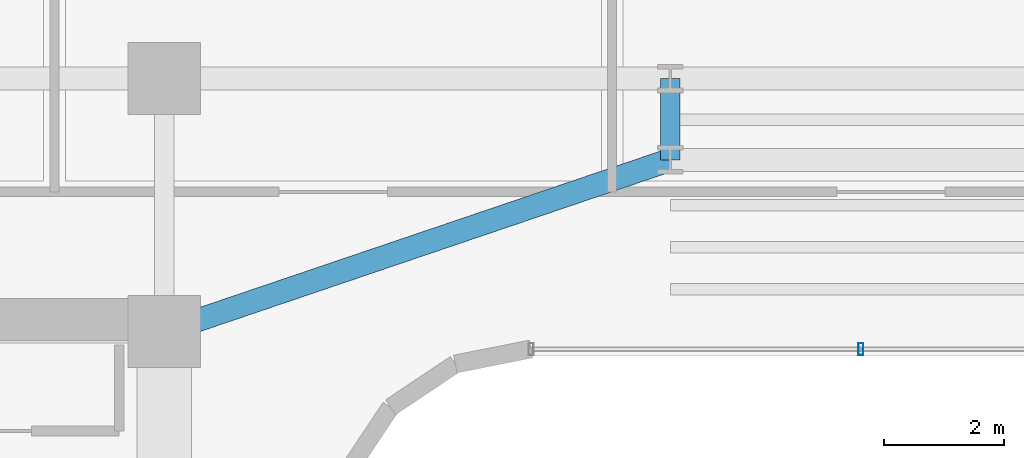
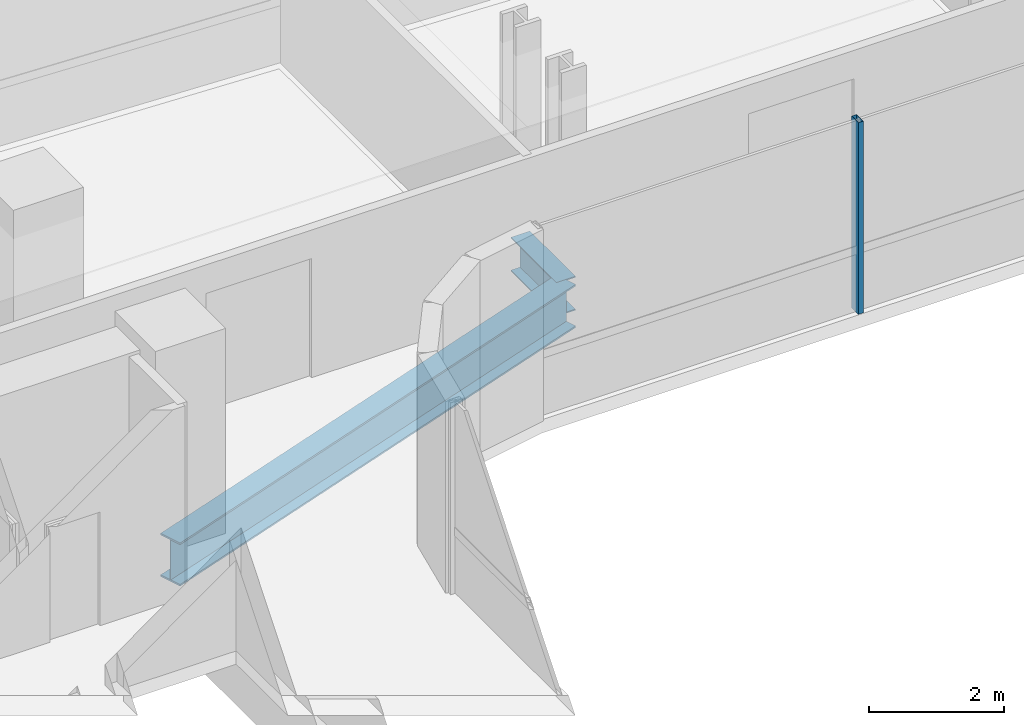
# One storey, part 12 of 37: 2 beams, 1 member, 1 element without a shape of its own.
"""IFC4 building model written with IfcOpenShell, lengths in metres."""

from ifc_helpers import new_model, si_unit, direction, frame, origin, origin_2d, place, context, subcontext, project, spatial, hollow_rectangle, i_section, extrude, source, transform, mapped, material, material_profile, profile_set, type_object, element, aggregate, save


model = new_model("IFC4")

# Units and contexts
model_context = context("Model", 3, precision=1e-05, world=origin(), true_north=direction((0.0, 1.0)))
body_context = subcontext(model_context, "Body", "Model", "MODEL_VIEW")
ifc_project = project(units=[si_unit("LENGTHUNIT", "METRE"), si_unit("AREAUNIT", "SQUARE_METRE"), si_unit("VOLUMEUNIT", "CUBIC_METRE"), si_unit("PLANEANGLEUNIT", "RADIAN"), si_unit("MASSUNIT", "GRAM", prefix="KILO")], contexts=[model_context])

# Site, building, storey
site_placement = place(None, origin())
site = spatial("IfcSite", under=ifc_project, at=site_placement, CompositionType="ELEMENT")
building_placement = place(site_placement, origin())
building = spatial("IfcBuilding", under=site, at=building_placement, Name="Valdorenza Pilgrim Sanctuary Tower", CompositionType="ELEMENT")
storey_placement = place(building_placement, frame((0.0, 0.0, 135.300048828125)))
storey = spatial("IfcBuildingStorey", under=building, at=storey_placement, Name="L34", CompositionType="ELEMENT", Elevation=135.300048828125)

# Beams
ifc_material_1 = material(Name="Steel ASTM A992 Grade 50", Category="steel")
ifc_material_profile_1 = material_profile(ifc_material_1, i_section(OverallWidth=0.323974609375, OverallDepth=0.611083984375, WebThickness=0.0126953125, FlangeThickness=0.01904296875, at=origin_2d()), Name="W24X104")
ifc_profile_set_1 = profile_set([ifc_material_profile_1], Name="Steel ASTM A992 Grade 50")
beam_type_1 = type_object("IfcBeamType", Name="STR-BM-GRD-W24B", PredefinedType="BEAM", material=ifc_profile_set_1)
shared_shape_1 = source(origin(), body_context, "Body", "SweptSolid", [
    extrude(i_section(OverallWidth=0.323974609375, OverallDepth=0.611083984375, WebThickness=0.0126953125, FlangeThickness=0.01904296875, at=origin_2d()), origin(), (0.0, 0.0, 1.0), 1.35009765625),
])
beam_1_placement = place(storey_placement, frame((-4.0, 13.449951171875, -0.545654296875), z_axis=(0.0, 1.0, 0.0), x_axis=(-1.0, 0.0, 0.0)))
element("IfcBeam", 1, at=beam_1_placement, inside=storey, type_object=beam_type_1, Name="L34 Floor Girder KNK-TIE-W", PredefinedType="BEAM", context=body_context, shape_type="MappedRepresentation", body=[
    mapped(shared_shape_1, transform((0.0, 0.0, 0.0), x_axis=(1.0, 0.0, 0.0), y_axis=(0.0, 1.0, 0.0), z_axis=(0.0, 0.0, 1.0), scale=1.0)),
])
ifc_material_profile_2 = material_profile(ifc_material_1, i_section(OverallWidth=0.382080078125, OverallDepth=0.779052734375, WebThickness=0.01806640625, FlangeThickness=0.030029296875, at=origin_2d()), Name="W30X191")
ifc_profile_set_2 = profile_set([ifc_material_profile_2], Name="Steel ASTM A992 Grade 50")
beam_type_2 = type_object("IfcBeamType", Name="STR-BM-GRD-W30", PredefinedType="BEAM", material=ifc_profile_set_2)
shared_shape_2 = source(origin(), body_context, "Body", "SweptSolid", [
    extrude(i_section(OverallWidth=0.382080078125, OverallDepth=0.779052734375, WebThickness=0.01806640625, FlangeThickness=0.030029296875, at=origin_2d()), origin(), (0.0, 0.0, 1.0), 8.8701171875),
])
beam_2_placement = place(storey_placement, frame((-12.39990234375, 10.60009765625, -0.629638671875), z_axis=(0.946982588361, 0.321284885018, 0.0), x_axis=(-0.321284885018, 0.946982588361, 0.0)))
element("IfcBeam", 2, at=beam_2_placement, inside=storey, type_object=beam_type_2, Name="L34 Floor Girder KNK-G1", PredefinedType="BEAM", context=body_context, shape_type="MappedRepresentation", body=[
    mapped(shared_shape_2, transform((0.0, 0.0, 0.0), x_axis=(1.0, 0.0, 0.0), y_axis=(0.0, 1.0, 0.0), z_axis=(0.0, 0.0, 1.0), scale=1.0)),
])

# Curtain wall, member
ifc_material_2 = material(Name="Curtain-wall IGU glazing", Category="glass")
curtain_wall_type = type_object("IfcCurtainWallType", Name="CW-SYS-02", PredefinedType="NOTDEFINED", material=ifc_material_2)
curtain_wall_placement = place(storey_placement, origin())
curtain_wall = element("IfcCurtainWall", 3, at=curtain_wall_placement, inside=storey, type_object=curtain_wall_type, Name="L34 Curtain Wall CW-L34-1-36", PredefinedType="NOTDEFINED")
ifc_material_3 = material(Name="Anodised aluminium AW-6060", Category="aluminium")
ifc_material_profile_3 = material_profile(ifc_material_3, hollow_rectangle(XDim=0.0849609375, YDim=0.199951171875, WallThickness=0.0048828125, at=origin_2d()), Name="ALU-M 200x85x5")
ifc_profile_set_3 = profile_set([ifc_material_profile_3], Name="Anodised aluminium AW-6060")
member_type = type_object("IfcMemberType", Name="CW-MUL-02", PredefinedType="MULLION", material=ifc_profile_set_3)
shared_shape_3 = source(origin(), body_context, "Body", "SweptSolid", [
    extrude(hollow_rectangle(XDim=0.0849609375, YDim=0.199951171875, WallThickness=0.0048828125, at=origin_2d()), origin(), (0.0, 0.0, 1.0), 3.4599609375),
])
member_placement = place(storey_placement, frame((-0.8369140625, 10.31005859375, 0.0), z_axis=(0.0, 0.0, 1.0), x_axis=(-1.0, 0.0, 0.0)))
member = element("IfcMember", 4, at=member_placement, type_object=member_type, Name="CW-L34-1-36 Mullion 3", PredefinedType="MULLION", context=body_context, shape_type="MappedRepresentation", body=[
    mapped(shared_shape_3, transform((0.0, 0.0, 0.0), x_axis=(1.0, 0.0, 0.0), y_axis=(0.0, 1.0, 0.0), z_axis=(0.0, 0.0, 1.0), scale=1.0)),
])
aggregate(curtain_wall, [member])

save(model, "model.ifc")
